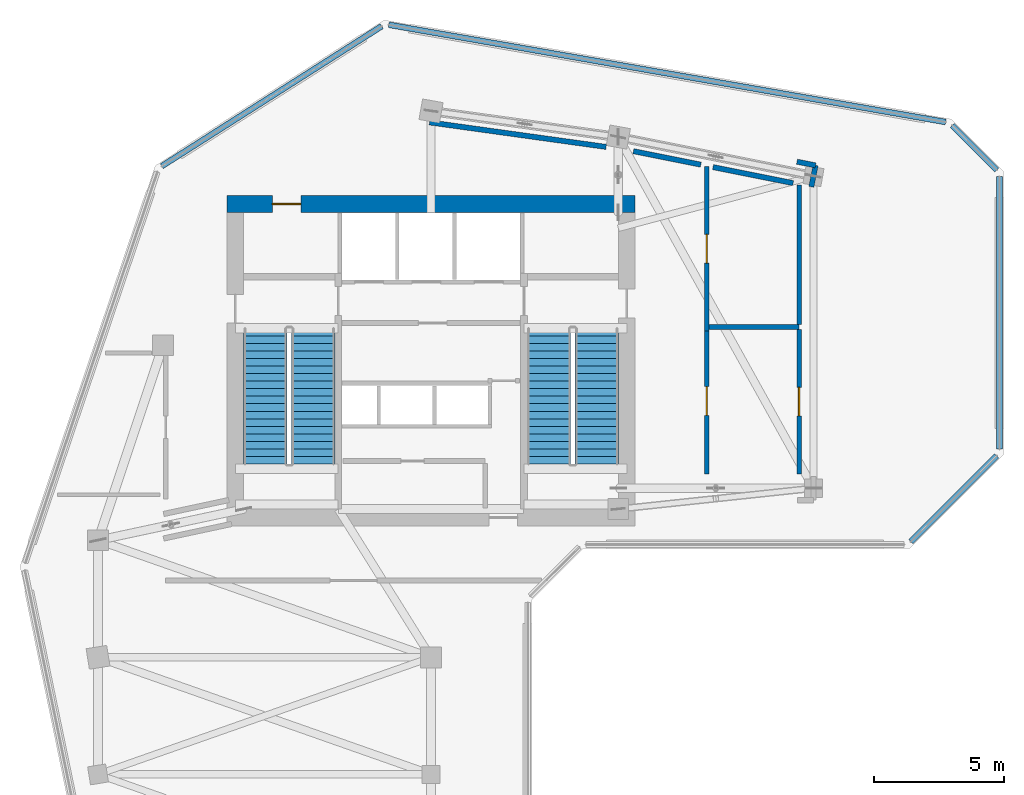
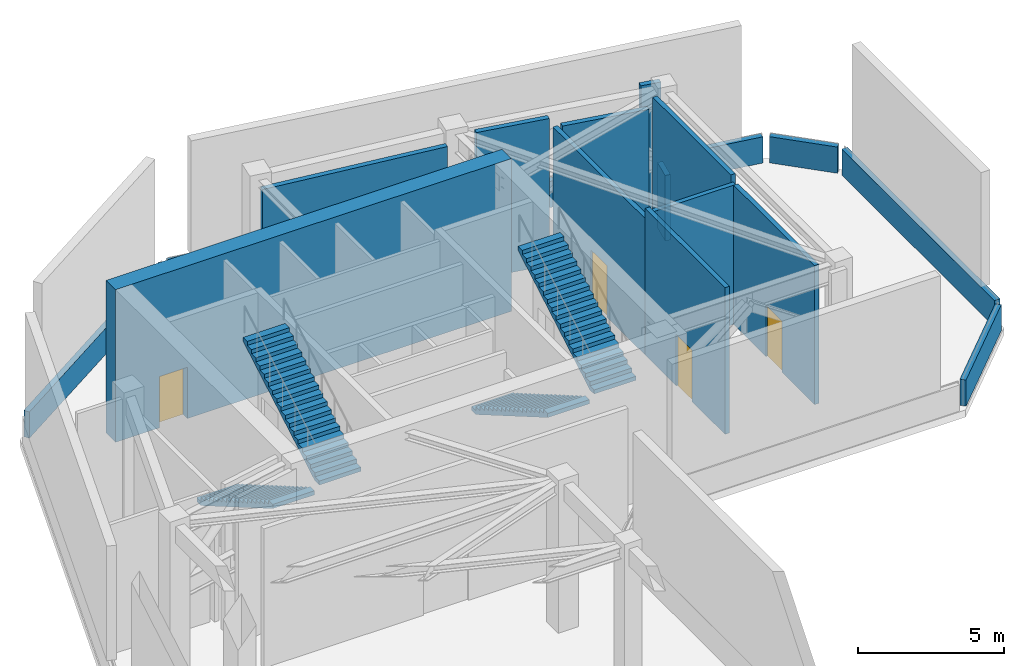
# One storey, part 7 of 10: 16 walls, 4 doors, 4 stair flights, 4 openings, 2 elements without a shape of their own.
"""IFC4 building model written with IfcOpenShell, lengths in metres."""

from ifc_helpers import new_model, si_unit, direction, frame, frame_2d, origin, place, context, subcontext, project, spatial, polyline, rectangle, outline, extrude, source, transform, mapped, material, layer, layer_set, type_object, element, fill, aggregate, save


model = new_model("IFC4")

# Units and contexts
model_context = context("Model", 3, precision=1e-05, world=origin(), true_north=direction((0.0, 1.0)))
body_context = subcontext(model_context, "Body", "Model", "MODEL_VIEW")
ifc_project = project(units=[si_unit("LENGTHUNIT", "METRE"), si_unit("AREAUNIT", "SQUARE_METRE"), si_unit("VOLUMEUNIT", "CUBIC_METRE"), si_unit("PLANEANGLEUNIT", "RADIAN"), si_unit("MASSUNIT", "GRAM", prefix="KILO")], contexts=[model_context])

# Site, building, storey
site_placement = place(None, origin())
site = spatial("IfcSite", under=ifc_project, at=site_placement, CompositionType="ELEMENT")
building_placement = place(site_placement, origin())
building = spatial("IfcBuilding", under=site, at=building_placement, Name="Calvemar Wedge Station Tower", CompositionType="ELEMENT")
storey_placement = place(building_placement, frame((0.0, 0.0, 242.89990234375)))
storey = spatial("IfcBuildingStorey", under=building, at=storey_placement, Name="L62", CompositionType="ELEMENT", Elevation=242.89990234375)

# Wall, opening, door
ifc_material_1 = material(Name="Concrete C60", Category="concrete")
ifc_layer_1 = layer(ifc_material_1, 0.64990234375)
ifc_layer_set_1 = layer_set([ifc_layer_1], Name="Concrete C60")
wall_type_1 = type_object("IfcWallType", Name="SW-CORE-650", PredefinedType="SHEAR", material=ifc_layer_set_1)
wall_1_placement = place(storey_placement, frame((15.949951171875, 45.925048828125, 0.0), z_axis=(0.0, 0.0, 1.0), x_axis=(1.0, 0.0, 0.0)))
wall_1 = element("IfcWall", 1, at=wall_1_placement, inside=storey, type_object=wall_type_1, Name="Storey L62 Core Shear Wall N", PredefinedType="SHEAR", context=body_context, shape_type="SweptSolid", body=[
    extrude(rectangle(XDim=15.699951171875, YDim=0.64990234375, at=frame_2d((7.85009765625, 0.0))), origin(), (0.0, 0.0, 1.0), 6.400146484375),
])
shared_shape_1 = source(origin(), body_context, "Body", "SweptSolid", [
    extrude(rectangle(XDim=1.10009765625, YDim=2.14990234375, at=frame_2d((0.550048828125, 1.074951171875))), frame((0.0, 0.3349609375, 0.0), z_axis=(0.0, -1.0, 0.0), x_axis=(1.0, 0.0, 0.0)), (0.0, 0.0, 1.0), 0.669921875),
])
opening_1_placement = place(wall_1_placement, frame((1.75, 0.0, 0.0)))
opening_1 = element("IfcOpeningElement", 2, at=opening_1_placement, cuts=wall_1, Name="Opening FD-90", PredefinedType="OPENING", context=body_context, shape_type="MappedRepresentation", body=[
    mapped(shared_shape_1, transform((0.0, 0.0, 0.0), scale=1.0)),
])
ifc_material_2 = material(Name="Galvanized fire-rated steel door leaf P-90", Category="steel")
door_type = type_object("IfcDoorType", Name="DR-FD90-1100", OperationType="NOTDEFINED", PredefinedType="DOOR", material=ifc_material_2)
shared_shape_2 = source(origin(), body_context, "Body", "SweptSolid", [
    extrude(rectangle(XDim=1.10009765625, YDim=2.14990234375, at=frame_2d((0.550048828125, 1.074951171875))), frame((0.0, 0.02490234375, 0.0), z_axis=(0.0, -1.0, 0.0), x_axis=(1.0, 0.0, 0.0)), (0.0, 0.0, 1.0), 0.050048828125),
])
door_1_placement = place(opening_1_placement, origin())
door_1 = element("IfcDoor", 3, at=door_1_placement, inside=storey, type_object=door_type, Name="L62 North Corridor to Firefighting Lobby Door", OperationType="SINGLE_SWING_LEFT", OverallHeight=2.14990234375, OverallWidth=1.10009765625, PredefinedType="DOOR", context=body_context, shape_type="MappedRepresentation", body=[
    mapped(shared_shape_2, transform((0.0, 0.0, 0.0), scale=1.0)),
])
fill(opening_1, door_1)

ifc_material_3 = material(Name="Double-stud fire-rated corridor partition")
ifc_layer_2 = layer(ifc_material_3, 0.179931640625)
ifc_layer_set_2 = layer_set([ifc_layer_2], Name="Double-stud fire-rated corridor partition")
wall_type_2 = type_object("IfcWallType", Name="W-CORR-180", PredefinedType="PARTITIONING", material=ifc_layer_set_2)
wall_2_placement = place(storey_placement, frame((34.39990234375, 47.371337890625, 0.0), z_axis=(0.0, 0.0, 1.0), x_axis=(0.0, -1.0, 0.0)))
wall_2 = element("IfcWall", 4, at=wall_2_placement, inside=storey, type_object=wall_type_2, Name="Storey L62 Interior Partition WL-L62-007", PredefinedType="PARTITIONING", context=body_context, shape_type="SweptSolid", body=[
    extrude(rectangle(XDim=6.331298828125, YDim=0.179931640625, at=frame_2d((3.16552734375, 0.0))), origin(), (0.0, 0.0, 1.0), 5.72216796875),
])
shared_shape_3 = source(origin(), body_context, "Body", "SweptSolid", [
    extrude(rectangle(XDim=1.10009765625, YDim=2.14990234375, at=frame_2d((0.550048828125, 1.074951171875))), frame((0.0, 0.10009765625, 0.0), z_axis=(0.0, -1.0, 0.0), x_axis=(1.0, 0.0, 0.0)), (0.0, 0.0, 1.0), 0.199951171875),
])
opening_2_placement = place(wall_2_placement, frame((2.615478515625, 0.0, 0.0)))
opening_2 = element("IfcOpeningElement", 5, at=opening_2_placement, cuts=wall_2, Name="Opening FD-90", PredefinedType="OPENING", context=body_context, shape_type="MappedRepresentation", body=[
    mapped(shared_shape_3, transform((0.0, 0.0, 0.0), scale=1.0)),
])
door_2_placement = place(opening_2_placement, origin())
door_2 = element("IfcDoor", 6, at=door_2_placement, inside=storey, type_object=door_type, Name="L62 Intermediate Booster Pump Room Door", OperationType="SINGLE_SWING_RIGHT", OverallHeight=2.14990234375, OverallWidth=1.10009765625, PredefinedType="DOOR", context=body_context, shape_type="MappedRepresentation", body=[
    mapped(shared_shape_2, transform((0.0, 0.0, 0.0), scale=1.0)),
])
fill(opening_2, door_2)

wall_3_placement = place(storey_placement, frame((34.39990234375, 41.0380859375, 0.0), z_axis=(0.0, 0.0, 1.0), x_axis=(0.0, -1.0, 0.0)))
wall_3 = element("IfcWall", 7, at=wall_3_placement, inside=storey, type_object=wall_type_2, Name="Storey L62 Interior Partition WL-L62-008", PredefinedType="PARTITIONING", context=body_context, shape_type="SweptSolid", body=[
    extrude(rectangle(XDim=5.488037109375, YDim=0.179931640625, at=frame_2d((2.744140625, 0.0))), origin(), (0.0, 0.0, 1.0), 6.150146484375),
])
opening_3_placement = place(wall_3_placement, frame((2.13232421875, 0.0, 0.0)))
opening_3 = element("IfcOpeningElement", 8, at=opening_3_placement, cuts=wall_3, Name="Opening FD-90", PredefinedType="OPENING", context=body_context, shape_type="MappedRepresentation", body=[
    mapped(shared_shape_3, transform((0.0, 0.0, 0.0), scale=1.0)),
])
door_3_placement = place(opening_3_placement, origin())
door_3 = element("IfcDoor", 9, at=door_3_placement, inside=storey, type_object=door_type, Name="L62 Zone Electrical Substation Door", OperationType="SINGLE_SWING_LEFT", OverallHeight=2.14990234375, OverallWidth=1.10009765625, PredefinedType="DOOR", context=body_context, shape_type="MappedRepresentation", body=[
    mapped(shared_shape_2, transform((0.0, 0.0, 0.0), scale=1.0)),
])
fill(opening_3, door_3)

# Walls
wall_4_placement = place(storey_placement, frame((37.949951171875, 41.199951171875, 0.0), z_axis=(0.0, 0.0, 1.0), x_axis=(-1.0, 0.0, 0.0)))
element("IfcWall", 10, at=wall_4_placement, inside=storey, type_object=wall_type_2, Name="Storey L62 Interior Partition WL-L62-009", PredefinedType="PARTITIONING", context=body_context, shape_type="SweptSolid", body=[
    extrude(rectangle(XDim=3.4560546875, YDim=0.179931640625, at=frame_2d((1.72802734375, 0.0))), origin(), (0.0, 0.0, 1.0), 5.833984375),
])
wall_5_placement = place(storey_placement, frame((37.949951171875, 46.661376953125, 0.0), z_axis=(0.0, 0.0, 1.0), x_axis=(0.0, -1.0, 0.0)))
element("IfcWall", 11, at=wall_5_placement, inside=storey, type_object=wall_type_2, Name="Storey L62 Interior Partition WL-L62-010", PredefinedType="PARTITIONING", context=body_context, shape_type="SweptSolid", body=[
    extrude(rectangle(XDim=5.367431640625, YDim=0.179931640625, at=frame_2d((2.68359375, 0.0))), origin(), (0.0, 0.0, 1.0), 6.150146484375),
])

# Wall, opening, door
wall_6_placement = place(storey_placement, frame((37.949951171875, 41.10595703125, 0.0), z_axis=(0.0, 0.0, 1.0), x_axis=(0.0, -1.0, 0.0)))
wall_6 = element("IfcWall", 12, at=wall_6_placement, inside=storey, type_object=wall_type_2, Name="Storey L62 Interior Partition WL-L62-011", PredefinedType="PARTITIONING", context=body_context, shape_type="SweptSolid", body=[
    extrude(rectangle(XDim=5.555908203125, YDim=0.179931640625, at=frame_2d((2.77783203125, 0.0))), origin(), (0.0, 0.0, 1.0), 5.833984375),
])
opening_4_placement = place(wall_6_placement, frame((2.22802734375, 0.0, 0.0)))
opening_4 = element("IfcOpeningElement", 13, at=opening_4_placement, cuts=wall_6, Name="Opening FD-90", PredefinedType="OPENING", context=body_context, shape_type="MappedRepresentation", body=[
    mapped(shared_shape_3, transform((0.0, 0.0, 0.0), scale=1.0)),
])
door_4_placement = place(opening_4_placement, origin())
door_4 = element("IfcDoor", 14, at=door_4_placement, inside=storey, type_object=door_type, Name="L62 Zone Air Handling Plant Room Door", OperationType="SINGLE_SWING_RIGHT", OverallHeight=2.14990234375, OverallWidth=1.10009765625, PredefinedType="DOOR", context=body_context, shape_type="MappedRepresentation", body=[
    mapped(shared_shape_2, transform((0.0, 0.0, 0.0), scale=1.0)),
])
fill(opening_4, door_4)

# Walls
ifc_material_4 = material(Name="Precast concrete C45", Category="concrete")
ifc_layer_3 = layer(ifc_material_4, 0.219970703125)
ifc_layer_set_3 = layer_set([ifc_layer_3], Name="Precast concrete C45")
wall_type_3 = type_object("IfcWallType", Name="W-PARA-220", PredefinedType="PARAPET", material=ifc_layer_set_3)
wall_7_placement = place(storey_placement, frame((42.243896484375, 32.947998046875, 0.0), z_axis=(0.0, 0.0, 1.0), x_axis=(0.707106781187, 0.707106781187, 0.0)))
element("IfcWall", 15, at=wall_7_placement, inside=storey, type_object=wall_type_3, Name="Wind Floor L62 Acoustic Curb Wall 7", PredefinedType="PARAPET", context=body_context, shape_type="SweptSolid", body=[
    extrude(rectangle(XDim=4.6669921875, YDim=0.219970703125, at=frame_2d((2.33349609375, 0.0))), origin(), (0.0, 0.0, 1.0), 1.10009765625),
])
wall_8_placement = place(storey_placement, frame((45.64990234375, 36.504150390625, 0.0), z_axis=(0.0, 0.0, 1.0), x_axis=(0.0, 1.0, 0.0)))
element("IfcWall", 16, at=wall_8_placement, inside=storey, type_object=wall_type_3, Name="Wind Floor L62 Acoustic Curb Wall 8", PredefinedType="PARAPET", context=body_context, shape_type="SweptSolid", body=[
    extrude(rectangle(XDim=10.475830078125, YDim=0.219970703125, at=frame_2d((5.23779296875, 0.0))), origin(), (0.0, 0.0, 1.0), 1.10009765625),
])
wall_9_placement = place(storey_placement, frame((45.5439453125, 47.23583984375, 0.0), z_axis=(0.0, 0.0, 1.0), x_axis=(-0.707106781187, 0.707106781187, 0.0)))
element("IfcWall", 17, at=wall_9_placement, inside=storey, type_object=wall_type_3, Name="Wind Floor L62 Acoustic Curb Wall 9", PredefinedType="PARAPET", context=body_context, shape_type="SweptSolid", body=[
    extrude(rectangle(XDim=2.4189453125, YDim=0.219970703125, at=frame_2d((1.20947265625, 0.0))), origin(), (0.0, 0.0, 1.0), 1.10009765625),
])
wall_10_placement = place(storey_placement, frame((43.57958984375, 49.078125, 0.0), z_axis=(0.0, 0.0, 1.0), x_axis=(-0.985083469067, 0.172077188993, 0.0)))
element("IfcWall", 18, at=wall_10_placement, inside=storey, type_object=wall_type_3, Name="Wind Floor L62 Acoustic Curb Wall 10", PredefinedType="PARAPET", context=body_context, shape_type="SweptSolid", body=[
    extrude(rectangle(XDim=21.724365234375, YDim=0.219970703125, at=frame_2d((10.8623046875, 0.0))), origin(), (0.0, 0.0, 1.0), 1.10009765625),
])
wall_11_placement = place(storey_placement, frame((21.90478515625, 52.76171875, 0.0), z_axis=(0.0, 0.0, 1.0), x_axis=(-0.843655467793, -0.53688495198, 0.0)))
element("IfcWall", 19, at=wall_11_placement, inside=storey, type_object=wall_type_3, Name="Wind Floor L62 Acoustic Curb Wall 11", PredefinedType="PARAPET", context=body_context, shape_type="SweptSolid", body=[
    extrude(rectangle(XDim=10.01953125, YDim=0.219970703125, at=frame_2d((5.009765625, 0.0))), origin(), (0.0, 0.0, 1.0), 1.10009765625),
])
ifc_material_5 = material(Name="Concrete blockwork and fireboard shaft wall", Category="masonry")
ifc_layer_4 = layer(ifc_material_5, 0.199951171875)
ifc_layer_set_4 = layer_set([ifc_layer_4], Name="Concrete blockwork and fireboard shaft wall")
wall_type_4 = type_object("IfcWallType", Name="W-SHAFT-200", PredefinedType="SOLIDWALL", material=ifc_layer_set_4)
wall_12_placement = place(storey_placement, frame((38.58251953125, 47.411865234375, 0.0), z_axis=(0.0, 0.0, 1.0), x_axis=(-0.196451441334, -0.980513554826, 0.0)))
element("IfcWall", 20, at=wall_12_placement, inside=storey, type_object=wall_type_4, Name="Storey L62 Fire-Rated Truss Casing Wall WL-L62-014", PredefinedType="SOLIDWALL", context=body_context, shape_type="SweptSolid", body=[
    extrude(rectangle(XDim=0.840087890625, YDim=0.199951171875, at=frame_2d((0.419921875, 0.0))), origin(), (0.0, 0.0, 1.0), 2.7421875),
])
wall_13_placement = place(storey_placement, frame((37.719482421875, 46.727783203125, 0.0), z_axis=(0.0, 0.0, 1.0), x_axis=(-0.980577685683, 0.196131084587, 0.0)))
element("IfcWall", 21, at=wall_13_placement, inside=storey, type_object=wall_type_4, Name="Storey L62 Fire-Rated Truss Casing Wall WL-L62-015", PredefinedType="SOLIDWALL", context=body_context, shape_type="SweptSolid", body=[
    extrude(rectangle(XDim=3.140625, YDim=0.199951171875, at=frame_2d((1.5703125, 0.0))), origin(), (0.0, 0.0, 1.0), 5.72216796875),
])
wall_14_placement = place(storey_placement, frame((34.16943359375, 47.437744140625, 0.0), z_axis=(0.0, 0.0, 1.0), x_axis=(-0.980577122251, 0.196133901502, 0.0)))
element("IfcWall", 22, at=wall_14_placement, inside=storey, type_object=wall_type_4, Name="Storey L62 Fire-Rated Truss Casing Wall WL-L62-016", PredefinedType="SOLIDWALL", context=body_context, shape_type="SweptSolid", body=[
    extrude(rectangle(XDim=2.642578125, YDim=0.199951171875, at=frame_2d((1.3212890625, 0.0))), origin(), (0.0, 0.0, 1.0), 6.150146484375),
])
wall_15_placement = place(storey_placement, frame((37.8701171875, 47.55419921875, 0.0), z_axis=(0.0, 0.0, 1.0), x_axis=(0.980619432534, -0.195922251257, 0.0)))
element("IfcWall", 23, at=wall_15_placement, inside=storey, type_object=wall_type_4, Name="Storey L62 Fire-Rated Truss Casing Wall WL-L62-017", PredefinedType="SOLIDWALL", context=body_context, shape_type="SweptSolid", body=[
    extrude(rectangle(XDim=0.7265625, YDim=0.199951171875, at=frame_2d((0.36328125, 0.0))), origin(), (0.0, 0.0, 1.0), 6.150146484375),
])
wall_16_placement = place(storey_placement, frame((30.530029296875, 48.12109375, 0.0), z_axis=(0.0, 0.0, 1.0), x_axis=(-0.990492542754, 0.137566430311, 0.0)))
element("IfcWall", 24, at=wall_16_placement, inside=storey, type_object=wall_type_4, Name="Storey L62 Fire-Rated Truss Casing Wall WL-L62-022", PredefinedType="SOLIDWALL", context=body_context, shape_type="SweptSolid", body=[
    extrude(rectangle(XDim=6.855712890625, YDim=0.199951171875, at=frame_2d((3.427734375, 0.0))), origin(), (0.0, 0.0, 1.0), 5.833984375),
])

# Stair, stair flights
ifc_material_6 = material(Name="Concrete C45", Category="concrete")
stair_type = type_object("IfcStairType", Name="ST-TYPE-6400", PredefinedType="HALF_TURN_STAIR", material=ifc_material_6)
stair_1_placement = place(storey_placement, origin())
stair_1 = element("IfcStair", 25, at=stair_1_placement, inside=storey, type_object=stair_type, Name="L62 Pressurized Core Exit Stair ST-C1", PredefinedType="HALF_TURN_STAIR")
stair_flight_type = type_object("IfcStairFlightType", Name="STF-TYPE-6400", PredefinedType="STRAIGHT", material=ifc_material_6)
stair_flight_1_placement = place(storey_placement, frame((17.429931640625, 41.14990234375, 0.0), z_axis=(0.0, 0.0, 1.0), x_axis=(0.0, -1.0, 0.0)))
stair_flight_1 = element("IfcStairFlight", 26, at=stair_flight_1_placement, type_object=stair_flight_type, Name="ST-C1 flight 1", NumberOfRisers=19, NumberOfTreads=18, PredefinedType="STRAIGHT", RiserHeight=0.168421053, TreadLength=0.29, context=body_context, shape_type="SweptSolid", body=[
    extrude(outline(polyline([(0.0, 0.0), (0.0, 0.16845703125), (0.2900390625, 0.16845703125), (0.2900390625, 0.3369140625), (0.580078125, 0.3369140625), (0.580078125, 0.50537109375), (0.8701171875, 0.50537109375), (0.8701171875, 0.673583984375), (1.159912109375, 0.673583984375), (1.159912109375, 0.842041015625), (1.449951171875, 0.842041015625), (1.449951171875, 1.010498046875), (1.739990234375, 1.010498046875), (1.739990234375, 1.178955078125), (2.030029296875, 1.178955078125), (2.030029296875, 1.347412109375), (2.320068359375, 1.347412109375), (2.320068359375, 1.515869140625), (2.610107421875, 1.515869140625), (2.610107421875, 1.684326171875), (2.89990234375, 1.684326171875), (2.89990234375, 1.8525390625), (3.18994140625, 1.8525390625), (3.18994140625, 2.02099609375), (3.47998046875, 2.02099609375), (3.47998046875, 2.189453125), (3.77001953125, 2.189453125), (3.77001953125, 2.35791015625), (4.06005859375, 2.35791015625), (4.06005859375, 2.5263671875), (4.35009765625, 2.5263671875), (4.35009765625, 2.69482421875), (4.639892578125, 2.69482421875), (4.639892578125, 2.863037109375), (4.929931640625, 2.863037109375), (4.929931640625, 3.031494140625), (5.219970703125, 3.031494140625), (5.219970703125, 3.199951171875), (5.219970703125, 2.858154296875), (0.298583984375, 0.0), (0.0, 0.0)])), frame((0.0, 0.830078125, 0.0), z_axis=(0.0, -1.0, 0.0), x_axis=(1.0, 0.0, 0.0)), (0.0, 0.0, 1.0), 1.659912109375),
])
stair_flight_2_placement = place(storey_placement, frame((19.27001953125, 35.929931640625, 3.2001953125), z_axis=(0.0, 0.0, 1.0), x_axis=(0.0, 1.0, 0.0)))
stair_flight_2 = element("IfcStairFlight", 27, at=stair_flight_2_placement, type_object=stair_flight_type, Name="ST-C1 flight 2", NumberOfRisers=19, NumberOfTreads=18, PredefinedType="STRAIGHT", RiserHeight=0.168421053, TreadLength=0.29, context=body_context, shape_type="SweptSolid", body=[
    extrude(outline(polyline([(0.0, 0.0), (0.0, 0.16845703125), (0.2900390625, 0.16845703125), (0.2900390625, 0.3369140625), (0.580078125, 0.3369140625), (0.580078125, 0.50537109375), (0.8701171875, 0.50537109375), (0.8701171875, 0.673583984375), (1.159912109375, 0.673583984375), (1.159912109375, 0.842041015625), (1.449951171875, 0.842041015625), (1.449951171875, 1.010498046875), (1.739990234375, 1.010498046875), (1.739990234375, 1.178955078125), (2.030029296875, 1.178955078125), (2.030029296875, 1.347412109375), (2.320068359375, 1.347412109375), (2.320068359375, 1.515869140625), (2.610107421875, 1.515869140625), (2.610107421875, 1.684326171875), (2.89990234375, 1.684326171875), (2.89990234375, 1.8525390625), (3.18994140625, 1.8525390625), (3.18994140625, 2.02099609375), (3.47998046875, 2.02099609375), (3.47998046875, 2.189453125), (3.77001953125, 2.189453125), (3.77001953125, 2.35791015625), (4.06005859375, 2.35791015625), (4.06005859375, 2.5263671875), (4.35009765625, 2.5263671875), (4.35009765625, 2.69482421875), (4.639892578125, 2.69482421875), (4.639892578125, 2.863037109375), (4.929931640625, 2.863037109375), (4.929931640625, 3.031494140625), (5.219970703125, 3.031494140625), (5.219970703125, 3.199951171875), (5.219970703125, 2.858154296875), (0.298583984375, 0.0), (0.0, 0.0)])), frame((0.0, 0.830078125, 0.0), z_axis=(0.0, -1.0, 0.0), x_axis=(1.0, 0.0, 0.0)), (0.0, 0.0, 1.0), 1.659912109375),
])
aggregate(stair_1, [stair_flight_1, stair_flight_2])

stair_2_placement = place(storey_placement, origin())
stair_2 = element("IfcStair", 28, at=stair_2_placement, inside=storey, type_object=stair_type, Name="L62 Pressurized Core Exit Stair ST-C2", PredefinedType="HALF_TURN_STAIR")
stair_flight_3_placement = place(storey_placement, frame((28.330078125, 41.14990234375, 0.0), z_axis=(0.0, 0.0, 1.0), x_axis=(0.0, -1.0, 0.0)))
stair_flight_3 = element("IfcStairFlight", 29, at=stair_flight_3_placement, type_object=stair_flight_type, Name="ST-C2 flight 1", NumberOfRisers=19, NumberOfTreads=18, PredefinedType="STRAIGHT", RiserHeight=0.168421053, TreadLength=0.29, context=body_context, shape_type="SweptSolid", body=[
    extrude(outline(polyline([(0.0, 0.0), (0.0, 0.16845703125), (0.2900390625, 0.16845703125), (0.2900390625, 0.3369140625), (0.580078125, 0.3369140625), (0.580078125, 0.50537109375), (0.8701171875, 0.50537109375), (0.8701171875, 0.673583984375), (1.159912109375, 0.673583984375), (1.159912109375, 0.842041015625), (1.449951171875, 0.842041015625), (1.449951171875, 1.010498046875), (1.739990234375, 1.010498046875), (1.739990234375, 1.178955078125), (2.030029296875, 1.178955078125), (2.030029296875, 1.347412109375), (2.320068359375, 1.347412109375), (2.320068359375, 1.515869140625), (2.610107421875, 1.515869140625), (2.610107421875, 1.684326171875), (2.89990234375, 1.684326171875), (2.89990234375, 1.8525390625), (3.18994140625, 1.8525390625), (3.18994140625, 2.02099609375), (3.47998046875, 2.02099609375), (3.47998046875, 2.189453125), (3.77001953125, 2.189453125), (3.77001953125, 2.35791015625), (4.06005859375, 2.35791015625), (4.06005859375, 2.5263671875), (4.35009765625, 2.5263671875), (4.35009765625, 2.69482421875), (4.639892578125, 2.69482421875), (4.639892578125, 2.863037109375), (4.929931640625, 2.863037109375), (4.929931640625, 3.031494140625), (5.219970703125, 3.031494140625), (5.219970703125, 3.199951171875), (5.219970703125, 2.858154296875), (0.298583984375, 0.0), (0.0, 0.0)])), frame((0.0, 0.830078125, 0.0), z_axis=(0.0, -1.0, 0.0), x_axis=(1.0, 0.0, 0.0)), (0.0, 0.0, 1.0), 1.659912109375),
])
stair_flight_4_placement = place(storey_placement, frame((30.169921875, 35.929931640625, 3.2001953125), z_axis=(0.0, 0.0, 1.0), x_axis=(0.0, 1.0, 0.0)))
stair_flight_4 = element("IfcStairFlight", 30, at=stair_flight_4_placement, type_object=stair_flight_type, Name="ST-C2 flight 2", NumberOfRisers=19, NumberOfTreads=18, PredefinedType="STRAIGHT", RiserHeight=0.168421053, TreadLength=0.29, context=body_context, shape_type="SweptSolid", body=[
    extrude(outline(polyline([(0.0, 0.0), (0.0, 0.16845703125), (0.2900390625, 0.16845703125), (0.2900390625, 0.3369140625), (0.580078125, 0.3369140625), (0.580078125, 0.50537109375), (0.8701171875, 0.50537109375), (0.8701171875, 0.673583984375), (1.159912109375, 0.673583984375), (1.159912109375, 0.842041015625), (1.449951171875, 0.842041015625), (1.449951171875, 1.010498046875), (1.739990234375, 1.010498046875), (1.739990234375, 1.178955078125), (2.030029296875, 1.178955078125), (2.030029296875, 1.347412109375), (2.320068359375, 1.347412109375), (2.320068359375, 1.515869140625), (2.610107421875, 1.515869140625), (2.610107421875, 1.684326171875), (2.89990234375, 1.684326171875), (2.89990234375, 1.8525390625), (3.18994140625, 1.8525390625), (3.18994140625, 2.02099609375), (3.47998046875, 2.02099609375), (3.47998046875, 2.189453125), (3.77001953125, 2.189453125), (3.77001953125, 2.35791015625), (4.06005859375, 2.35791015625), (4.06005859375, 2.5263671875), (4.35009765625, 2.5263671875), (4.35009765625, 2.69482421875), (4.639892578125, 2.69482421875), (4.639892578125, 2.863037109375), (4.929931640625, 2.863037109375), (4.929931640625, 3.031494140625), (5.219970703125, 3.031494140625), (5.219970703125, 3.199951171875), (5.219970703125, 2.858154296875), (0.298583984375, 0.0), (0.0, 0.0)])), frame((0.0, 0.830078125, 0.0), z_axis=(0.0, -1.0, 0.0), x_axis=(1.0, 0.0, 0.0)), (0.0, 0.0, 1.0), 1.659912109375),
])
aggregate(stair_2, [stair_flight_3, stair_flight_4])

save(model, "model.ifc")
